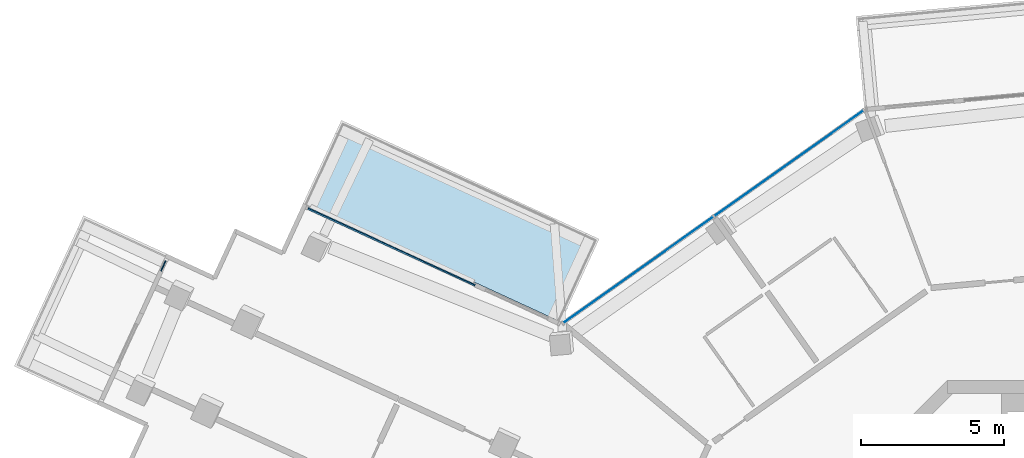
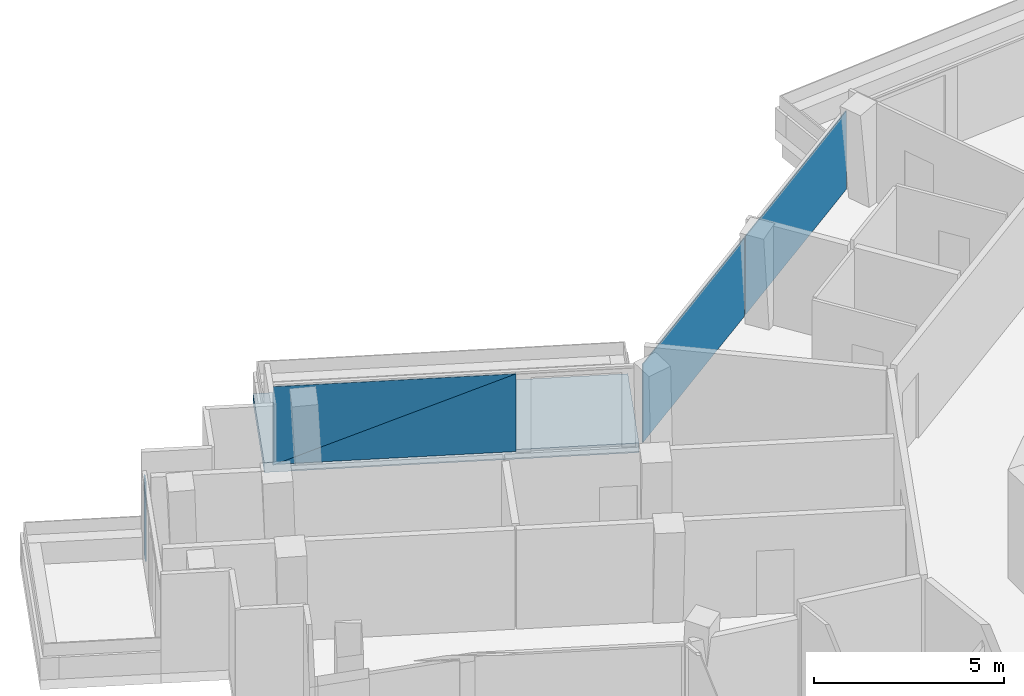
# One storey, part 14 of 25: 5 plates, 1 slab, 3 elements without a shape of their own.
"""IFC4 building model written with IfcOpenShell, lengths in metres."""

from ifc_helpers import new_model, si_unit, direction, frame, origin, origin_2d, place, context, subcontext, project, spatial, polyline, rectangle, outline, extrude, material, layer, layer_set, type_object, element, aggregate, save


model = new_model("IFC4")

# Units and contexts
model_context = context("Model", 3, precision=1e-05, world=origin(), true_north=direction((0.0, 1.0)))
body_context = subcontext(model_context, "Body", "Model", "MODEL_VIEW")
ifc_project = project(units=[si_unit("LENGTHUNIT", "METRE"), si_unit("AREAUNIT", "SQUARE_METRE"), si_unit("VOLUMEUNIT", "CUBIC_METRE"), si_unit("PLANEANGLEUNIT", "RADIAN"), si_unit("MASSUNIT", "GRAM", prefix="KILO")], contexts=[model_context])

# Site, building, storey
site_placement = place(None, origin())
site = spatial("IfcSite", under=ifc_project, at=site_placement, CompositionType="ELEMENT")
building_placement = place(site_placement, origin())
building = spatial("IfcBuilding", under=site, at=building_placement, Name="Verdalira Terraces Hotel", CompositionType="ELEMENT")
storey_placement = place(building_placement, frame((0.0, 0.0, 299.5)))
storey = spatial("IfcBuildingStorey", under=building, at=storey_placement, Name="L74", CompositionType="ELEMENT", Elevation=299.5)

# Slab
ifc_material_1 = material(Name="Precast concrete C40/50", Category="concrete")
ifc_layer_1 = layer(ifc_material_1, 0.31005859375)
ifc_layer_set_1 = layer_set([ifc_layer_1], Name="Balcony deck 310")
slab_type = type_object("IfcSlabType", Name="Balcony deck 310", PredefinedType="FLOOR", material=ifc_layer_set_1)
slab_placement = place(storey_placement, frame((0.0, 0.0, -0.310059)))
element("IfcSlab", 1, at=slab_placement, inside=storey, type_object=slab_type, Name="Balcony deck", PredefinedType="FLOOR", context=body_context, shape_type="SweptSolid", body=[
    extrude(outline(polyline([(-26.994873, 23.106201), (-28.333008, 20.199463), (-19.317139, 16.048828), (-17.979004, 18.955566), (-26.994873, 23.106201)])), origin(), (0.0, 0.0, 1.0), 0.310059),
])

# Curtain wall, plates
ifc_material_2 = material(Name="Clear glass", Category="glass")
ifc_layer_2 = layer(ifc_material_2, 0.14990234375)
ifc_layer_set_2 = layer_set([ifc_layer_2], Name="CW1 curtain wall")
curtain_wall_type_1 = type_object("IfcCurtainWallType", Name="CW1 curtain wall", PredefinedType="NOTDEFINED", material=ifc_layer_set_2)
curtain_wall_1_placement = place(storey_placement, origin())
curtain_wall_1 = element("IfcCurtainWall", 2, at=curtain_wall_1_placement, inside=storey, type_object=curtain_wall_type_1, Name="CW1 curtain wall L74 edge 41", PredefinedType="NOTDEFINED")
ifc_material_3 = material(Name="Clear glass", Category="glass")
ifc_layer_3 = layer(ifc_material_3, 0.028076171875)
ifc_layer_set_3 = layer_set([ifc_layer_3], Name="CW1 glass unit 28")
plate_type_1 = type_object("IfcPlateType", Name="CW1 glass unit 28", PredefinedType="CURTAIN_PANEL", material=ifc_layer_set_3)
plate_1_placement = place(storey_placement, frame((-11.343262, 21.598633, 0.0), z_axis=(0.0, 0.0, 1.0), x_axis=(-0.816339251, -0.577572703, 0.0)))
plate_1 = element("IfcPlate", 3, at=plate_1_placement, type_object=plate_type_1, Name="CW1 glass unit", PredefinedType="CURTAIN_PANEL", context=body_context, shape_type="SweptSolid", body=[
    extrude(rectangle(XDim=6.369873, YDim=0.028076, at=origin_2d()), origin(), (0.0, 0.0, 1.0), 2.524902),
])
plate_2_placement = place(storey_placement, frame((-16.608398, 17.873291, 0.0), z_axis=(0.0, 0.0, 1.0), x_axis=(-0.816339251, -0.577572703, 0.0)))
plate_2 = element("IfcPlate", 4, at=plate_2_placement, type_object=plate_type_1, Name="CW1 glass unit", PredefinedType="CURTAIN_PANEL", context=body_context, shape_type="SweptSolid", body=[
    extrude(rectangle(XDim=6.409912, YDim=0.028076, at=origin_2d()), origin(), (0.0, 0.0, 1.0), 2.524902),
])
aggregate(curtain_wall_1, [plate_1, plate_2])

ifc_material_4 = material(Name="Clear glass", Category="glass")
ifc_layer_4 = layer(ifc_material_4, 0.14990234375)
ifc_layer_set_4 = layer_set([ifc_layer_4], Name="CW2 curtain wall")
curtain_wall_type_2 = type_object("IfcCurtainWallType", Name="CW2 curtain wall", PredefinedType="NOTDEFINED", material=ifc_layer_set_4)
curtain_wall_2_placement = place(storey_placement, origin())
curtain_wall_2 = element("IfcCurtainWall", 5, at=curtain_wall_2_placement, inside=storey, type_object=curtain_wall_type_2, Name="CW2 curtain wall L74 edge 0", PredefinedType="NOTDEFINED")
ifc_material_5 = material(Name="Clear glass", Category="glass")
ifc_layer_5 = layer(ifc_material_5, 0.031982421875)
ifc_layer_set_5 = layer_set([ifc_layer_5], Name="CW2 glass unit 32")
plate_type_2 = type_object("IfcPlateType", Name="CW2 glass unit 32", PredefinedType="CURTAIN_PANEL", material=ifc_layer_set_5)
plate_3_placement = place(storey_placement, frame((-25.248291, 18.679443, 1.262451), z_axis=(0.418184178, 0.908362259, 0.0), x_axis=(-0.908362259, 0.418184178, 0.0)))
plate_3 = element("IfcPlate", 6, at=plate_3_placement, type_object=plate_type_2, Name="CW2 glass unit", PredefinedType="CURTAIN_PANEL", context=body_context, shape_type="SweptSolid", body=[
    extrude(outline(polyline([(-3.217773, -1.262451), (3.217773, -1.262451), (-3.217773, 1.262451), (-3.217773, -1.262451)])), origin(), (0.0, 0.0, 1.0), 0.031982),
])
plate_4_placement = place(storey_placement, frame((-25.262207, 18.649414, 1.262451), z_axis=(0.418184178, 0.908362259, 0.0), x_axis=(-0.908362259, 0.418184178, 0.0)))
plate_4 = element("IfcPlate", 7, at=plate_4_placement, type_object=plate_type_2, Name="CW2 glass unit", PredefinedType="CURTAIN_PANEL", context=body_context, shape_type="SweptSolid", body=[
    extrude(outline(polyline([(3.217773, -1.262451), (3.217773, 1.262451), (-3.217773, 1.262451), (3.217773, -1.262451)])), origin(), (0.0, 0.0, 1.0), 0.031982),
])
aggregate(curtain_wall_2, [plate_3, plate_4])

# Curtain wall, plate
ifc_material_6 = material(Name="Clear glass", Category="glass")
ifc_layer_6 = layer(ifc_material_6, 0.14990234375)
ifc_layer_set_6 = layer_set([ifc_layer_6], Name="CW3 curtain wall")
curtain_wall_type_3 = type_object("IfcCurtainWallType", Name="CW3 curtain wall", PredefinedType="NOTDEFINED", material=ifc_layer_set_6)
curtain_wall_3_placement = place(storey_placement, origin())
curtain_wall_3 = element("IfcCurtainWall", 8, at=curtain_wall_3_placement, inside=storey, type_object=curtain_wall_type_3, Name="CW3 curtain wall L74 edge 5", PredefinedType="NOTDEFINED")
ifc_material_7 = material(Name="Clear glass", Category="glass")
ifc_layer_7 = layer(ifc_material_7, 0.035888671875)
ifc_layer_set_7 = layer_set([ifc_layer_7], Name="CW3 glass unit 36")
plate_type_3 = type_object("IfcPlateType", Name="CW3 glass unit 36", PredefinedType="CURTAIN_PANEL", material=ifc_layer_set_7)
plate_5_placement = place(storey_placement, frame((-33.220215, 18.012939, 0.0), z_axis=(0.0, 0.0, 1.0), x_axis=(-0.418184178, -0.908362259, 0.0)))
plate_5 = element("IfcPlate", 9, at=plate_5_placement, type_object=plate_type_3, Name="CW3 glass unit", PredefinedType="CURTAIN_PANEL", context=body_context, shape_type="SweptSolid", body=[
    extrude(rectangle(XDim=0.399902, YDim=0.035889, at=origin_2d()), origin(), (0.0, 0.0, 1.0), 2.524902),
])
aggregate(curtain_wall_3, [plate_5])

save(model, "model.ifc")
